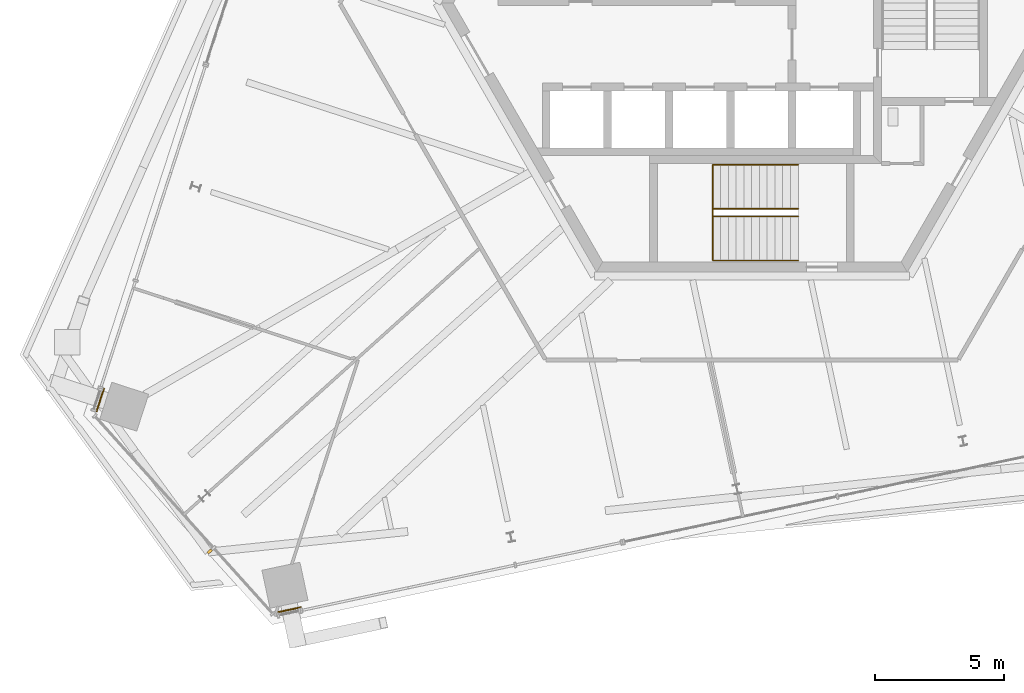
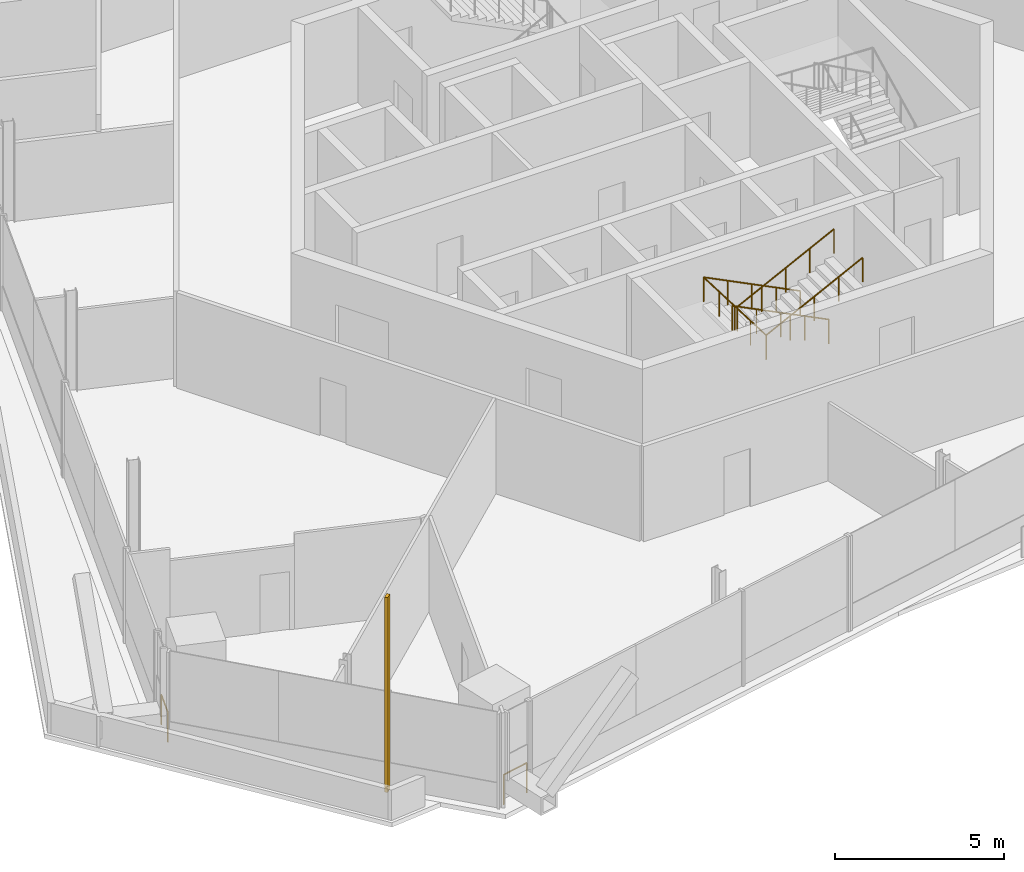
# One storey, part 17 of 20: 4 railings, 1 shading device.
"""IFC4 building model written with IfcOpenShell, lengths in metres."""

from ifc_helpers import new_model, si_unit, direction, frame, origin, origin_2d, place, context, subcontext, project, spatial, rectangle, circle, extrude, source, transform, mapped, material, type_object, element, save


model = new_model("IFC4")

# Units and contexts
model_context = context("Model", 3, precision=1e-05, world=origin(), true_north=direction((0.0, 1.0)))
body_context = subcontext(model_context, "Body", "Model", "MODEL_VIEW")
ifc_project = project(units=[si_unit("LENGTHUNIT", "METRE"), si_unit("AREAUNIT", "SQUARE_METRE"), si_unit("VOLUMEUNIT", "CUBIC_METRE"), si_unit("PLANEANGLEUNIT", "RADIAN"), si_unit("MASSUNIT", "GRAM", prefix="KILO")], contexts=[model_context])

# Site, building, storey
site_placement = place(None, origin())
site = spatial("IfcSite", under=ifc_project, at=site_placement, CompositionType="ELEMENT")
building_placement = place(site_placement, origin())
building = spatial("IfcBuilding", under=site, at=building_placement, Name="Triune Harvest Tower", CompositionType="ELEMENT")
storey_placement = place(building_placement, frame((0.0, 0.0, 259.5)))
storey = spatial("IfcBuildingStorey", under=building, at=storey_placement, Name="L68", CompositionType="ELEMENT", Elevation=259.5)

# Railings
ifc_material_1 = material(Name="Glass", Category="glass")
railing_type_1 = type_object("IfcRailingType", Name="GD-3 facade guard 1100", PredefinedType="GUARDRAIL", material=ifc_material_1)
railing_1_placement = place(storey_placement, frame((-25.03271484375, -14.890869140625, 0.0)))
element("IfcRailing", 1, at=railing_1_placement, inside=storey, type_object=railing_type_1, Name="Facade guard B7-F3 L68.1.2", PredefinedType="GUARDRAIL", context=body_context, shape_type="SweptSolid", body=[
    extrude(circle(Radius=0.02392578125, at=origin_2d()), frame((0.0, 0.0, 1.076171875), z_axis=(-0.308828535952, -0.951117729506, 0.0), x_axis=(0.951117729506, -0.308828535952, 0.0)), (0.0, 0.0, 1.0), 0.921875),
    extrude(circle(Radius=0.02099609375, at=origin_2d()), origin(), (0.0, 0.0, 1.0), 1.052001953125),
    extrude(circle(Radius=0.02099609375, at=origin_2d()), frame((-0.28466796875, -0.876708984375, 0.0)), (0.0, 0.0, 1.0), 1.052001953125),
])
railing_2_placement = place(storey_placement, frame((-18.32763671875, -23.530517578125, 0.0)))
element("IfcRailing", 2, at=railing_2_placement, inside=storey, type_object=railing_type_1, Name="Facade guard B7-F5 L68.1.1", PredefinedType="GUARDRAIL", context=body_context, shape_type="SweptSolid", body=[
    extrude(circle(Radius=0.02392578125, at=origin_2d()), frame((0.0, 0.0, 1.076171875), z_axis=(0.978157504945, 0.207865089708, 0.0), x_axis=(-0.207865089708, 0.978157504945, 0.0)), (0.0, 0.0, 1.0), 0.921875),
    extrude(circle(Radius=0.02099609375, at=origin_2d()), origin(), (0.0, 0.0, 1.0), 1.052001953125),
    extrude(circle(Radius=0.02099609375, at=origin_2d()), frame((0.90185546875, 0.191650390625, 0.0)), (0.0, 0.0, 1.0), 1.052001953125),
])
ifc_material_2 = material(Name="Stainless steel AISI 316", Category="steel")
railing_type_2 = type_object("IfcRailingType", Name="Stair handrail", PredefinedType="HANDRAIL", material=ifc_material_2)
shared_shape_1 = source(origin(), body_context, "Body", "SweptSolid", [
    extrude(circle(Radius=0.02392578125, at=origin_2d()), frame((0.0, 0.0, 0.8759765625), z_axis=(-0.894413956696, 0.0, 0.447240063129), x_axis=(0.0, -1.0, 0.0)), (0.0, 0.0, 1.0), 3.689697265625),
    extrude(circle(Radius=0.02392578125, at=origin_2d()), frame((-3.300048828125, 0.0, 2.52587890625), z_axis=(0.0, -0.999180289278, 0.040481471304), x_axis=(1.0, 0.0, 0.0)), (0.0, 0.0, 1.0), 3.702880859375),
    extrude(circle(Radius=0.02392578125, at=origin_2d()), frame((-3.300048828125, -3.699951171875, 2.67578125), z_axis=(0.894413956696, 0.0, 0.447240063129), x_axis=(0.0, 1.0, 0.0)), (0.0, 0.0, 1.0), 3.689697265625),
    extrude(circle(Radius=0.02099609375, at=origin_2d()), origin(), (0.0, 0.0, 1.0), 0.851806640625),
    extrude(circle(Radius=0.02099609375, at=origin_2d()), frame((-0.824951171875, 0.0, 0.41259765625)), (0.0, 0.0, 1.0), 0.851806640625),
    extrude(circle(Radius=0.02099609375, at=origin_2d()), frame((-1.64990234375, 0.0, 0.8251953125)), (0.0, 0.0, 1.0), 0.851806640625),
    extrude(circle(Radius=0.02099609375, at=origin_2d()), frame((-2.47509765625, 0.0, 1.237548828125)), (0.0, 0.0, 1.0), 0.851806640625),
    extrude(circle(Radius=0.02099609375, at=origin_2d()), frame((-3.300048828125, 0.0, 1.650146484375)), (0.0, 0.0, 1.0), 0.851806640625),
    extrude(circle(Radius=0.02099609375, at=origin_2d()), frame((-3.300048828125, -0.925048828125, 1.6875)), (0.0, 0.0, 1.0), 0.851806640625),
    extrude(circle(Radius=0.02099609375, at=origin_2d()), frame((-3.300048828125, -1.85009765625, 1.72509765625)), (0.0, 0.0, 1.0), 0.851806640625),
    extrude(circle(Radius=0.02099609375, at=origin_2d()), frame((-3.300048828125, -2.77490234375, 1.7626953125)), (0.0, 0.0, 1.0), 0.851806640625),
    extrude(circle(Radius=0.02099609375, at=origin_2d()), frame((-3.300048828125, -3.699951171875, 1.800048828125)), (0.0, 0.0, 1.0), 0.851806640625),
    extrude(circle(Radius=0.02099609375, at=origin_2d()), frame((-2.47509765625, -3.699951171875, 2.212646484375)), (0.0, 0.0, 1.0), 0.851806640625),
    extrude(circle(Radius=0.02099609375, at=origin_2d()), frame((-1.64990234375, -3.699951171875, 2.625)), (0.0, 0.0, 1.0), 0.851806640625),
    extrude(circle(Radius=0.02099609375, at=origin_2d()), frame((-0.824951171875, -3.699951171875, 3.03759765625)), (0.0, 0.0, 1.0), 0.851806640625),
    extrude(circle(Radius=0.02099609375, at=origin_2d()), frame((0.0, -3.699951171875, 3.4501953125)), (0.0, 0.0, 1.0), 0.851806640625),
])
railing_3_placement = place(storey_placement, frame((1.7900390625, -6.239990234375, 0.14990234375)))
element("IfcRailing", 3, at=railing_3_placement, inside=storey, type_object=railing_type_2, Name="Exit stair south wall handrail", PredefinedType="HANDRAIL", context=body_context, shape_type="MappedRepresentation", body=[
    mapped(shared_shape_1, transform((0.0, 0.0, 0.0), scale=1.0)),
])
shared_shape_2 = source(origin(), body_context, "Body", "SweptSolid", [
    extrude(circle(Radius=0.02392578125, at=origin_2d()), frame((0.0, 0.0, 0.8759765625), z_axis=(-0.894413956696, 0.0, 0.447240063129), x_axis=(0.0, -1.0, 0.0)), (0.0, 0.0, 1.0), 3.689697265625),
    extrude(circle(Radius=0.02392578125, at=origin_2d()), frame((-3.300048828125, 0.0, 2.52587890625), z_axis=(0.0, -0.894572720946, 0.446922417137), x_axis=(1.0, 0.0, 0.0)), (0.0, 0.0, 1.0), 0.33544921875),
    extrude(circle(Radius=0.02392578125, at=origin_2d()), frame((-3.300048828125, -0.300048828125, 2.67578125), z_axis=(0.894413956696, 0.0, 0.447240063129), x_axis=(0.0, 1.0, 0.0)), (0.0, 0.0, 1.0), 3.689697265625),
    extrude(circle(Radius=0.02099609375, at=origin_2d()), origin(), (0.0, 0.0, 1.0), 0.851806640625),
    extrude(circle(Radius=0.02099609375, at=origin_2d()), frame((-0.824951171875, 0.0, 0.41259765625)), (0.0, 0.0, 1.0), 0.851806640625),
    extrude(circle(Radius=0.02099609375, at=origin_2d()), frame((-1.64990234375, 0.0, 0.8251953125)), (0.0, 0.0, 1.0), 0.851806640625),
    extrude(circle(Radius=0.02099609375, at=origin_2d()), frame((-2.47509765625, 0.0, 1.237548828125)), (0.0, 0.0, 1.0), 0.851806640625),
    extrude(circle(Radius=0.02099609375, at=origin_2d()), frame((-3.300048828125, 0.0, 1.650146484375)), (0.0, 0.0, 1.0), 0.851806640625),
    extrude(circle(Radius=0.02099609375, at=origin_2d()), frame((-3.300048828125, -0.300048828125, 1.800048828125)), (0.0, 0.0, 1.0), 0.851806640625),
    extrude(circle(Radius=0.02099609375, at=origin_2d()), frame((-2.47509765625, -0.300048828125, 2.212646484375)), (0.0, 0.0, 1.0), 0.851806640625),
    extrude(circle(Radius=0.02099609375, at=origin_2d()), frame((-1.64990234375, -0.300048828125, 2.625)), (0.0, 0.0, 1.0), 0.851806640625),
    extrude(circle(Radius=0.02099609375, at=origin_2d()), frame((-0.824951171875, -0.300048828125, 3.03759765625)), (0.0, 0.0, 1.0), 0.851806640625),
    extrude(circle(Radius=0.02099609375, at=origin_2d()), frame((0.0, -0.300048828125, 3.4501953125)), (0.0, 0.0, 1.0), 0.851806640625),
])
railing_4_placement = place(storey_placement, frame((1.7900390625, -7.93994140625, 0.14990234375)))
element("IfcRailing", 4, at=railing_4_placement, inside=storey, type_object=railing_type_2, Name="Exit stair south centre handrail", PredefinedType="HANDRAIL", context=body_context, shape_type="MappedRepresentation", body=[
    mapped(shared_shape_2, transform((0.0, 0.0, 0.0), scale=1.0)),
])

# Shading device
ifc_material_3 = material(Name="Aluminium bronze anodised", Category="aluminium")
shared_shape_3 = source(origin(), body_context, "Body", "SweptSolid", [
    extrude(rectangle(XDim=0.10009765625, YDim=0.199951171875, at=origin_2d()), origin(), (0.0, 0.0, 1.0), 7.0400390625),
])
shading_device_placement = place(storey_placement, frame((-20.944580078125, -21.1806640625, 0.0), z_axis=(0.0, 0.0, 1.0), x_axis=(0.669132031472, -0.743143542297, 0.0)))
element("IfcShadingDevice", 5, at=shading_device_placement, inside=storey, material=ifc_material_3, Name="FN-1 fin B7-F4.3 L68", ObjectType="FIN", PredefinedType="USERDEFINED", context=body_context, shape_type="MappedRepresentation", body=[
    mapped(shared_shape_3, transform((0.0, 0.0, 0.0), scale=1.0)),
])

save(model, "model.ifc")
